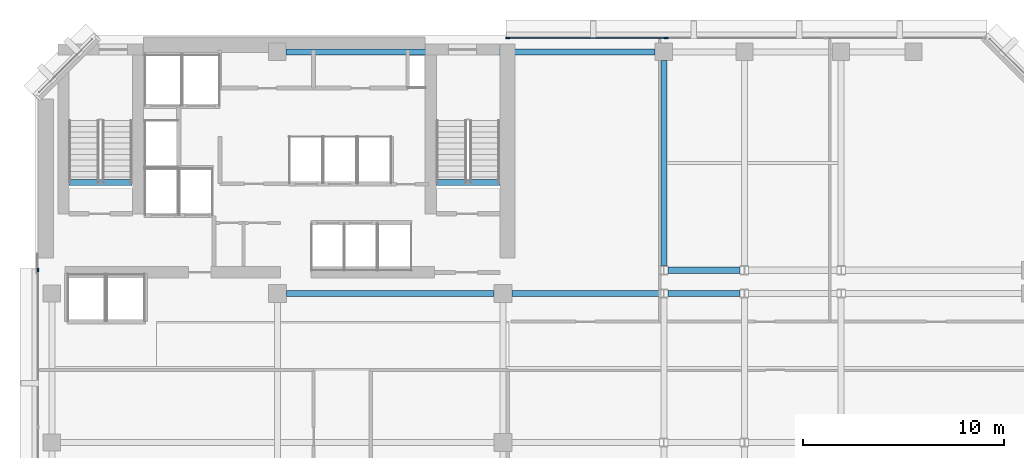
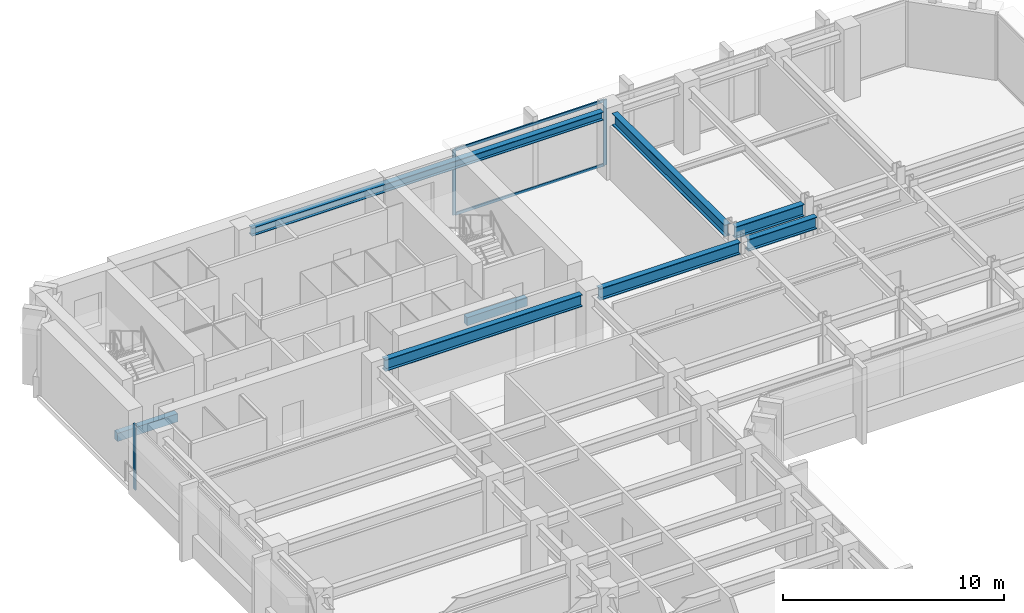
# One storey, part 4 of 11: 8 beams, 5 members, 2 elements without a shape of their own.
"""IFC4 building model written with IfcOpenShell, lengths in metres."""

from ifc_helpers import new_model, si_unit, direction, frame, origin, origin_2d, place, context, subcontext, project, spatial, rectangle, i_section, extrude, material, layer, layer_set, material_profile, profile_set, type_object, element, aggregate, save


model = new_model("IFC4")

# Units and contexts
model_context = context("Model", 3, precision=1e-05, world=origin(), true_north=direction((0.0, 1.0)))
body_context = subcontext(model_context, "Body", "Model", "MODEL_VIEW")
ifc_project = project(units=[si_unit("LENGTHUNIT", "METRE"), si_unit("AREAUNIT", "SQUARE_METRE"), si_unit("VOLUMEUNIT", "CUBIC_METRE"), si_unit("PLANEANGLEUNIT", "RADIAN"), si_unit("MASSUNIT", "GRAM", prefix="KILO")], contexts=[model_context])

# Site, building, storey
site_placement = place(None, origin())
site = spatial("IfcSite", under=ifc_project, at=site_placement, CompositionType="ELEMENT")
building_placement = place(site_placement, origin())
building = spatial("IfcBuilding", under=site, at=building_placement, Name="Kefirva Bronze Tower", CompositionType="ELEMENT")
storey_placement = place(building_placement, frame((0.0, 0.0, 170.610107421875)))
storey = spatial("IfcBuildingStorey", under=building, at=storey_placement, Name="L41", CompositionType="ELEMENT", Elevation=170.610107421875)

# Curtain wall, members
ifc_material_1 = material(Name="Bronze anodised aluminium", Category="aluminium")
ifc_layer = layer(ifc_material_1, 0.199951171875, Name="Bronze anodised aluminium")
ifc_layer_set = layer_set([ifc_layer], Name="Bronze anodised aluminium")
curtain_wall_type = type_object("IfcCurtainWallType", Name="Unitised Bronze Ribbon Curtain Wall Zone 2", PredefinedType="USERDEFINED", material=ifc_layer_set)
curtain_wall_1_placement = place(storey_placement, origin())
curtain_wall_1 = element("IfcCurtainWall", 1, at=curtain_wall_1_placement, inside=storey, type_object=curtain_wall_type, Name="L41 Curtain Wall 5", ObjectType="UNITISED CURTAIN WALL", PredefinedType="USERDEFINED")
ifc_material_profile_1 = material_profile(ifc_material_1, rectangle(XDim=0.074951171875, YDim=0.179931640625, at=origin_2d()), Name="ALU 75x180")
ifc_profile_set_1 = profile_set([ifc_material_profile_1], Name="Bronze anodised aluminium")
member_type_1 = type_object("IfcMemberType", Name="Bronze Mullion 75x180", PredefinedType="MULLION", material=ifc_profile_set_1)
member_1_placement = place(storey_placement, frame((31.318359375, 45.8798828125, 0.0), z_axis=(0.0, 0.0, 1.0), x_axis=(0.0, -1.0, 0.0)))
member_1 = element("IfcMember", 2, at=member_1_placement, type_object=member_type_1, Name="CW-02 mullion 3", PredefinedType="MULLION", context=body_context, shape_type="SweptSolid", body=[
    extrude(rectangle(XDim=0.074951171875, YDim=0.179931640625, at=origin_2d()), origin(), (0.0, 0.0, 1.0), 3.60986328125),
])
member_2_placement = place(storey_placement, frame((23.4423828125, 45.8798828125, 0.0), z_axis=(0.0, 0.0, 1.0), x_axis=(0.0, -1.0, 0.0)))
member_2 = element("IfcMember", 3, at=member_2_placement, type_object=member_type_1, Name="CW-02 mullion 4", PredefinedType="MULLION", context=body_context, shape_type="SweptSolid", body=[
    extrude(rectangle(XDim=0.074951171875, YDim=0.179931640625, at=origin_2d()), origin(), (0.0, 0.0, 1.0), 3.60986328125),
])

# Curtain wall, member
curtain_wall_2_placement = place(storey_placement, origin())
curtain_wall_2 = element("IfcCurtainWall", 4, at=curtain_wall_2_placement, inside=storey, type_object=curtain_wall_type, Name="L41 Curtain Wall 6", ObjectType="UNITISED CURTAIN WALL", PredefinedType="USERDEFINED")
member_3_placement = place(storey_placement, frame((0.1201171875, 34.357421875, 0.0), z_axis=(0.0, 0.0, 1.0), x_axis=(1.0, 0.0, 0.0)))
member_3 = element("IfcMember", 5, at=member_3_placement, type_object=member_type_1, Name="CW-02 mullion 1", PredefinedType="MULLION", context=body_context, shape_type="SweptSolid", body=[
    extrude(rectangle(XDim=0.074951171875, YDim=0.179931640625, at=origin_2d()), origin(), (0.0, 0.0, 1.0), 3.60986328125),
])
aggregate(curtain_wall_2, [member_3])

# Member
ifc_material_profile_2 = material_profile(ifc_material_1, rectangle(XDim=0.074951171875, YDim=0.14990234375, at=origin_2d()), Name="ALU 75x150")
ifc_profile_set_2 = profile_set([ifc_material_profile_2], Name="Bronze anodised aluminium")
member_type_2 = type_object("IfcMemberType", Name="Bronze Transom 75x150", PredefinedType="USERDEFINED", material=ifc_profile_set_2)
member_4_placement = place(storey_placement, frame((31.28076171875, 45.8798828125, 0.037353515625), z_axis=(-1.0, 0.0, 0.0), x_axis=(0.0, -1.0, 0.0)))
member_4 = element("IfcMember", 6, at=member_4_placement, type_object=member_type_2, Name="CW-02 transom 3.1", ObjectType="TRANSOM", PredefinedType="USERDEFINED", context=body_context, shape_type="SweptSolid", body=[
    extrude(rectangle(XDim=0.074951171875, YDim=0.14990234375, at=origin_2d()), origin(), (0.0, 0.0, 1.0), 7.80078125),
])

member_5_placement = place(storey_placement, frame((31.28076171875, 45.8798828125, 3.572509765625), z_axis=(-1.0, 0.0, 0.0), x_axis=(0.0, -1.0, 0.0)))
member_5 = element("IfcMember", 7, at=member_5_placement, type_object=member_type_2, Name="CW-02 transom 3.2", ObjectType="TRANSOM", PredefinedType="USERDEFINED", context=body_context, shape_type="SweptSolid", body=[
    extrude(rectangle(XDim=0.074951171875, YDim=0.14990234375, at=origin_2d()), origin(), (0.0, 0.0, 1.0), 7.80078125),
])

aggregate(curtain_wall_1, [member_1, member_2, member_4, member_5])

# Beams
ifc_material_2 = material(Name="Concrete C50/60", Category="concrete")
ifc_material_profile_3 = material_profile(ifc_material_2, rectangle(XDim=0.300048828125, YDim=0.449951171875, at=origin_2d()), Name="RC 300x450")
ifc_profile_set_3 = profile_set([ifc_material_profile_3], Name="Concrete C50/60")
beam_type_1 = type_object("IfcBeamType", Name="RC Stair Trimmer Beam 300x450", PredefinedType="BEAM", material=ifc_profile_set_3)
beam_1_placement = place(storey_placement, frame((1.64501953125, 38.699951171875, -0.22509765625), z_axis=(1.0, 0.0, 0.0), x_axis=(0.0, 1.0, 0.0)))
element("IfcBeam", 8, at=beam_1_placement, inside=storey, type_object=beam_type_1, Name="L41 Stair 1 Landing Trimmer Beam", PredefinedType="BEAM", context=body_context, shape_type="SweptSolid", body=[
    extrude(rectangle(XDim=0.300048828125, YDim=0.449951171875, at=origin_2d()), origin(), (0.0, 0.0, 1.0), 3.14990234375),
])
beam_2_placement = place(storey_placement, frame((19.89501953125, 38.699951171875, -0.22509765625), z_axis=(1.0, 0.0, 0.0), x_axis=(0.0, 1.0, 0.0)))
element("IfcBeam", 9, at=beam_2_placement, inside=storey, type_object=beam_type_1, Name="L41 Stair 2 Landing Trimmer Beam", PredefinedType="BEAM", context=body_context, shape_type="SweptSolid", body=[
    extrude(rectangle(XDim=0.300048828125, YDim=0.449951171875, at=origin_2d()), origin(), (0.0, 0.0, 1.0), 3.159912109375),
])
ifc_material_3 = material(Name="Steel S355", Category="steel")
ifc_material_profile_4 = material_profile(ifc_material_3, i_section(OverallWidth=0.300048828125, OverallDepth=0.64990234375, WebThickness=0.01611328125, FlangeThickness=0.031005859375, at=origin_2d()), Name="HEB 650")
ifc_profile_set_4 = profile_set([ifc_material_profile_4], Name="Steel S355")
beam_type_2 = type_object("IfcBeamType", Name="Steel Girder HEB 650", PredefinedType="USERDEFINED", material=ifc_profile_set_4)
beam_3_placement = place(storey_placement, frame((12.449951171875, 33.199951171875, 3.284912109375), z_axis=(1.0, 0.0, 0.0), x_axis=(0.0, 1.0, 0.0)))
element("IfcBeam", 10, at=beam_3_placement, inside=storey, type_object=beam_type_2, Name="L41 BM-L41-EW-12-332", ObjectType="GIRDER", PredefinedType="USERDEFINED", context=body_context, shape_type="SweptSolid", body=[
    extrude(i_section(OverallWidth=0.300048828125, OverallDepth=0.64990234375, WebThickness=0.01611328125, FlangeThickness=0.031005859375, at=origin_2d()), origin(), (0.0, 0.0, 1.0), 10.300048828125),
])
beam_4_placement = place(storey_placement, frame((23.64990234375, 33.199951171875, 3.284912109375), z_axis=(1.0, 0.0, 0.0), x_axis=(0.0, 1.0, 0.0)))
element("IfcBeam", 11, at=beam_4_placement, inside=storey, type_object=beam_type_2, Name="L41 BM-L41-EW-23-332", ObjectType="GIRDER", PredefinedType="USERDEFINED", context=body_context, shape_type="SweptSolid", body=[
    extrude(i_section(OverallWidth=0.300048828125, OverallDepth=0.64990234375, WebThickness=0.01611328125, FlangeThickness=0.031005859375, at=origin_2d()), origin(), (0.0, 0.0, 1.0), 7.341064453125),
])
for number, where, z_axis, x_axis, name in (
    (12, (31.408935546875, 33.199951171875, 3.284912109375), (1.0, 0.0, 0.0), (0.0, 1.0, 0.0), "L41 BM-L41-EW-31-332"),
    (13, (31.408935546875, 34.35009765625, 3.284912109375), (1.0, 0.0, 0.0), (0.0, 1.0, 0.0), "L41 BM-L41-EW-31-344"),
):
    element("IfcBeam", number, at=place(storey_placement, frame(where, z_axis=z_axis, x_axis=x_axis)), inside=storey, type_object=beam_type_2, Name=name, ObjectType="GIRDER", PredefinedType="USERDEFINED", context=body_context, shape_type="SweptSolid", body=[
        extrude(i_section(OverallWidth=0.300048828125, OverallDepth=0.64990234375, WebThickness=0.01611328125, FlangeThickness=0.031005859375, at=origin_2d()), origin(), (0.0, 0.0, 1.0), 3.58203125),
    ])
beam_5_placement = place(storey_placement, frame((31.199951171875, 34.577392578125, 3.284912109375), z_axis=(0.0, 1.0, 0.0), x_axis=(-1.0, 0.0, 0.0)))
element("IfcBeam", 14, at=beam_5_placement, inside=storey, type_object=beam_type_2, Name="L41 BM-L41-NS-312-34", ObjectType="GIRDER", PredefinedType="USERDEFINED", context=body_context, shape_type="SweptSolid", body=[
    extrude(i_section(OverallWidth=0.300048828125, OverallDepth=0.64990234375, WebThickness=0.01611328125, FlangeThickness=0.031005859375, at=origin_2d()), origin(), (0.0, 0.0, 1.0), 10.192626953125),
])
ifc_material_profile_5 = material_profile(ifc_material_3, i_section(OverallWidth=0.300048828125, OverallDepth=0.449951171875, WebThickness=0.013916015625, FlangeThickness=0.02587890625, at=origin_2d()), Name="HEB 450")
ifc_profile_set_5 = profile_set([ifc_material_profile_5], Name="Steel S355")
beam_type_3 = type_object("IfcBeamType", Name="Steel Spandrel HEB 450 Ext", PredefinedType="SPANDREL", material=ifc_profile_set_5)
beam_6_placement = place(storey_placement, frame((12.429931640625, 45.199951171875, 3.385009765625), z_axis=(1.0, 0.0, 0.0), x_axis=(0.0, 1.0, 0.0)))
element("IfcBeam", 15, at=beam_6_placement, inside=storey, type_object=beam_type_3, Name="L41 BM-L41-EW-12-452", PredefinedType="SPANDREL", context=body_context, shape_type="SweptSolid", body=[
    extrude(i_section(OverallWidth=0.300048828125, OverallDepth=0.449951171875, WebThickness=0.013916015625, FlangeThickness=0.02587890625, at=origin_2d()), origin(), (0.0, 0.0, 1.0), 18.340087890625),
])

save(model, "model.ifc")
